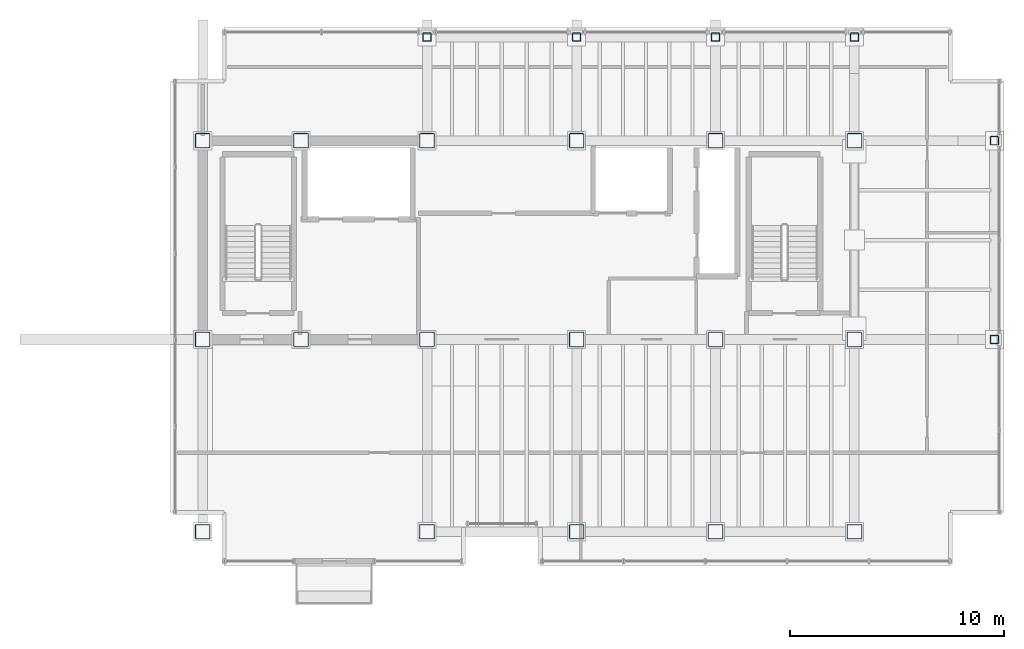
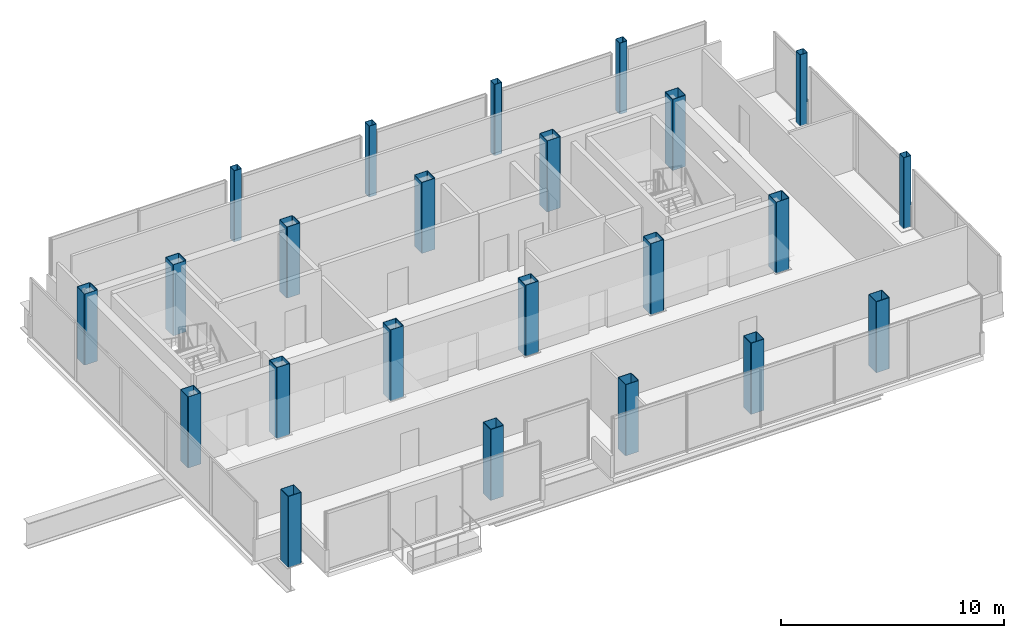
# One storey, part 1 of 17: 23 columns.
"""IFC4 building model written with IfcOpenShell, lengths in metres."""

from ifc_helpers import new_model, si_unit, direction, frame, origin, origin_2d, place, context, subcontext, project, spatial, hollow_rectangle, extrude, material, material_profile, profile_set, type_object, element, save


model = new_model("IFC4")

# Units and contexts
model_context = context("Model", 3, precision=1e-05, world=origin(), true_north=direction((0.0, 1.0)))
body_context = subcontext(model_context, "Body", "Model", "MODEL_VIEW")
ifc_project = project(units=[si_unit("LENGTHUNIT", "METRE"), si_unit("AREAUNIT", "SQUARE_METRE"), si_unit("VOLUMEUNIT", "CUBIC_METRE"), si_unit("PLANEANGLEUNIT", "RADIAN"), si_unit("MASSUNIT", "GRAM", prefix="KILO")], contexts=[model_context])

# Site, building, storey
site_placement = place(None, origin())
site = spatial("IfcSite", under=ifc_project, at=site_placement, CompositionType="ELEMENT")
building_placement = place(site_placement, origin())
building = spatial("IfcBuilding", under=site, at=building_placement, Name="Noeulbin Bourse Tower", CompositionType="ELEMENT")
storey_placement = place(building_placement, frame((0.0, 0.0, 281.300048828125)))
storey = spatial("IfcBuildingStorey", under=building, at=storey_placement, Name="L70", CompositionType="ELEMENT", Elevation=281.300048828125)

# Columns
ifc_material = material(Name="Steel S355", Category="steel")
ifc_material_profile_1 = material_profile(ifc_material, hollow_rectangle(XDim=0.39990234375, YDim=0.39990234375, WallThickness=0.02001953125, InnerFilletRadius=0.02001953125, OuterFilletRadius=0.0400390625, at=origin_2d()), Name="SHS-400x400x20", Category="LoadBearing")
ifc_profile_set_1 = profile_set([ifc_material_profile_1], Name="Steel S355")
column_type_1 = type_object("IfcColumnType", Name="COL-PER-Z4", PredefinedType="COLUMN", material=ifc_profile_set_1)
for number, where, z_axis, x_axis, name in (
    (1, (24.0, 43.14990234375, 0.0), (0.0, 0.0, 1.0), (1.0, 0.0, 0.0), "Tower Perimeter Column COL-PER-Z4 01"),
    (2, (31.0, 43.14990234375, 0.0), (0.0, 0.0, 1.0), (1.0, 0.0, 0.0), "Tower Perimeter Column COL-PER-Z4 02"),
    (3, (37.5, 43.14990234375, 0.0), (0.0, 0.0, 1.0), (1.0, 0.0, 0.0), "Tower Perimeter Column COL-PER-Z4 03"),
    (4, (44.0, 43.14990234375, 0.0), (0.0, 0.0, 1.0), (1.0, 0.0, 0.0), "Tower Perimeter Column COL-PER-Z4 04"),
    (5, (50.550048828125, 29.0, 0.0), (0.0, 0.0, 1.0), (1.0, 0.0, 0.0), "Tower Perimeter Column COL-PER-Z4 05"),
    (6, (50.550048828125, 38.300048828125, 0.0), (0.0, 0.0, 1.0), (1.0, 0.0, 0.0), "Tower Perimeter Column COL-PER-Z4 06"),
):
    element("IfcColumn", number, at=place(storey_placement, frame(where, z_axis=z_axis, x_axis=x_axis)), inside=storey, type_object=column_type_1, Name=name, PredefinedType="COLUMN", context=body_context, shape_type="SweptSolid", body=[
        extrude(hollow_rectangle(XDim=0.39990234375, YDim=0.39990234375, WallThickness=0.02001953125, InnerFilletRadius=0.02001953125, OuterFilletRadius=0.0400390625, at=origin_2d()), origin(), (0.0, 0.0, 1.0), 3.89990234375),
    ])
ifc_material_profile_2 = material_profile(ifc_material, hollow_rectangle(XDim=0.699951171875, YDim=0.699951171875, WallThickness=0.028076171875, InnerFilletRadius=0.013916015625, OuterFilletRadius=0.0419921875, at=origin_2d()), Name="BOX-700x700x28", Category="LoadBearing")
ifc_profile_set_2 = profile_set([ifc_material_profile_2], Name="Steel S355")
column_type_2 = type_object("IfcColumnType", Name="COL-TRK-Z4", PredefinedType="COLUMN", material=ifc_profile_set_2)
for number, where, z_axis, x_axis, name in (
    (7, (13.5, 29.0, 0.0), (0.0, 0.0, 1.0), (1.0, 0.0, 0.0), "Tower Trunk Mega-Column COL-TRK-Z4 01"),
    (8, (13.5, 38.300048828125, 0.0), (0.0, 0.0, 1.0), (1.0, 0.0, 0.0), "Tower Trunk Mega-Column COL-TRK-Z4 02"),
    (9, (18.10009765625, 29.0, 0.0), (0.0, 0.0, 1.0), (1.0, 0.0, 0.0), "Tower Trunk Mega-Column COL-TRK-Z4 03"),
    (10, (18.10009765625, 38.300048828125, 0.0), (0.0, 0.0, 1.0), (1.0, 0.0, 0.0), "Tower Trunk Mega-Column COL-TRK-Z4 04"),
    (11, (24.0, 29.0, 0.0), (0.0, 0.0, 1.0), (1.0, 0.0, 0.0), "Tower Trunk Mega-Column COL-TRK-Z4 05"),
    (12, (24.0, 38.300048828125, 0.0), (0.0, 0.0, 1.0), (1.0, 0.0, 0.0), "Tower Trunk Mega-Column COL-TRK-Z4 06"),
    (13, (31.0, 29.0, 0.0), (0.0, 0.0, 1.0), (1.0, 0.0, 0.0), "Tower Trunk Mega-Column COL-TRK-Z4 07"),
    (14, (31.0, 38.300048828125, 0.0), (0.0, 0.0, 1.0), (1.0, 0.0, 0.0), "Tower Trunk Mega-Column COL-TRK-Z4 08"),
    (15, (37.5, 29.0, 0.0), (0.0, 0.0, 1.0), (1.0, 0.0, 0.0), "Tower Trunk Mega-Column COL-TRK-Z4 09"),
    (16, (37.5, 38.300048828125, 0.0), (0.0, 0.0, 1.0), (1.0, 0.0, 0.0), "Tower Trunk Mega-Column COL-TRK-Z4 10"),
    (17, (44.0, 29.0, 0.0), (0.0, 0.0, 1.0), (1.0, 0.0, 0.0), "Tower Trunk Mega-Column COL-TRK-Z4 11"),
    (18, (44.0, 38.300048828125, 0.0), (0.0, 0.0, 1.0), (1.0, 0.0, 0.0), "Tower Trunk Mega-Column COL-TRK-Z4 12"),
    (19, (13.5, 20.0, 0.0), (0.0, 0.0, 1.0), (1.0, 0.0, 0.0), "Tower Trunk Mega-Column COL-TRK-Z4 13"),
    (20, (24.0, 20.0, 0.0), (0.0, 0.0, 1.0), (1.0, 0.0, 0.0), "Tower Trunk Mega-Column COL-TRK-Z4 14"),
    (21, (31.0, 20.0, 0.0), (0.0, 0.0, 1.0), (1.0, 0.0, 0.0), "Tower Trunk Mega-Column COL-TRK-Z4 15"),
    (22, (37.5, 20.0, 0.0), (0.0, 0.0, 1.0), (1.0, 0.0, 0.0), "Tower Trunk Mega-Column COL-TRK-Z4 16"),
    (23, (44.0, 20.0, 0.0), (0.0, 0.0, 1.0), (1.0, 0.0, 0.0), "Tower Trunk Mega-Column COL-TRK-Z4 17"),
):
    element("IfcColumn", number, at=place(storey_placement, frame(where, z_axis=z_axis, x_axis=x_axis)), inside=storey, type_object=column_type_2, Name=name, PredefinedType="COLUMN", context=body_context, shape_type="SweptSolid", body=[
        extrude(hollow_rectangle(XDim=0.699951171875, YDim=0.699951171875, WallThickness=0.028076171875, InnerFilletRadius=0.013916015625, OuterFilletRadius=0.0419921875, at=origin_2d()), origin(), (0.0, 0.0, 1.0), 3.89990234375),
    ])

save(model, "model.ifc")
